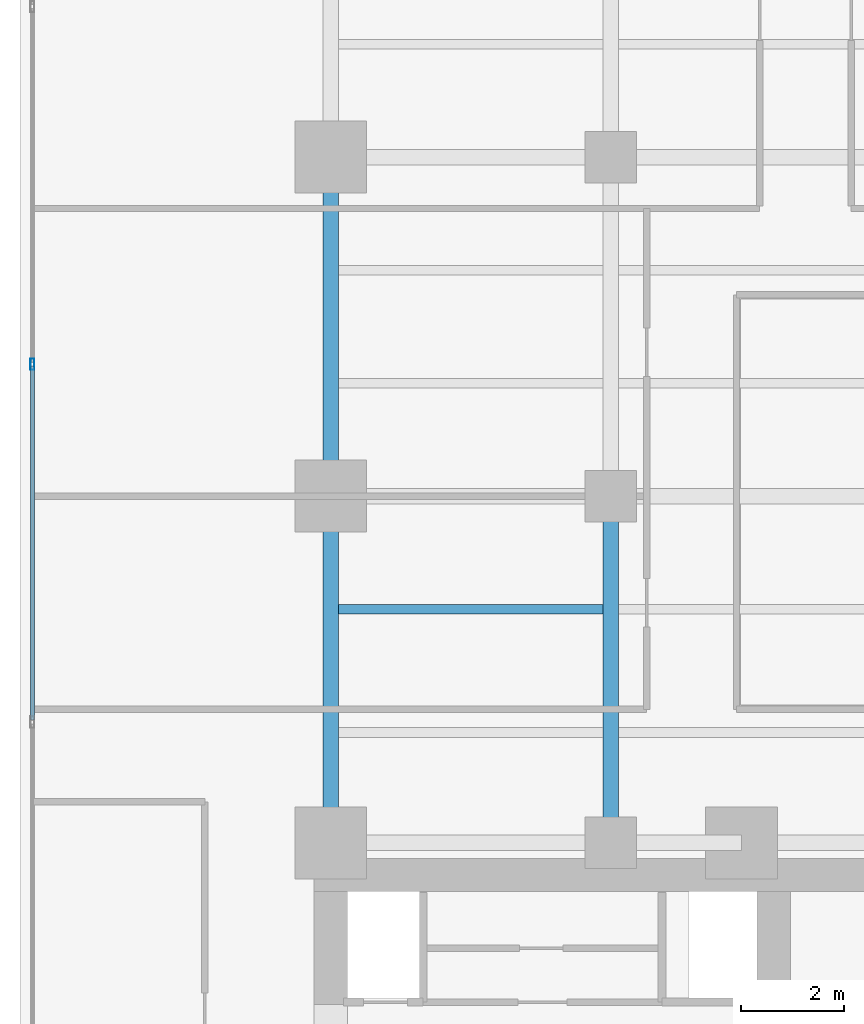
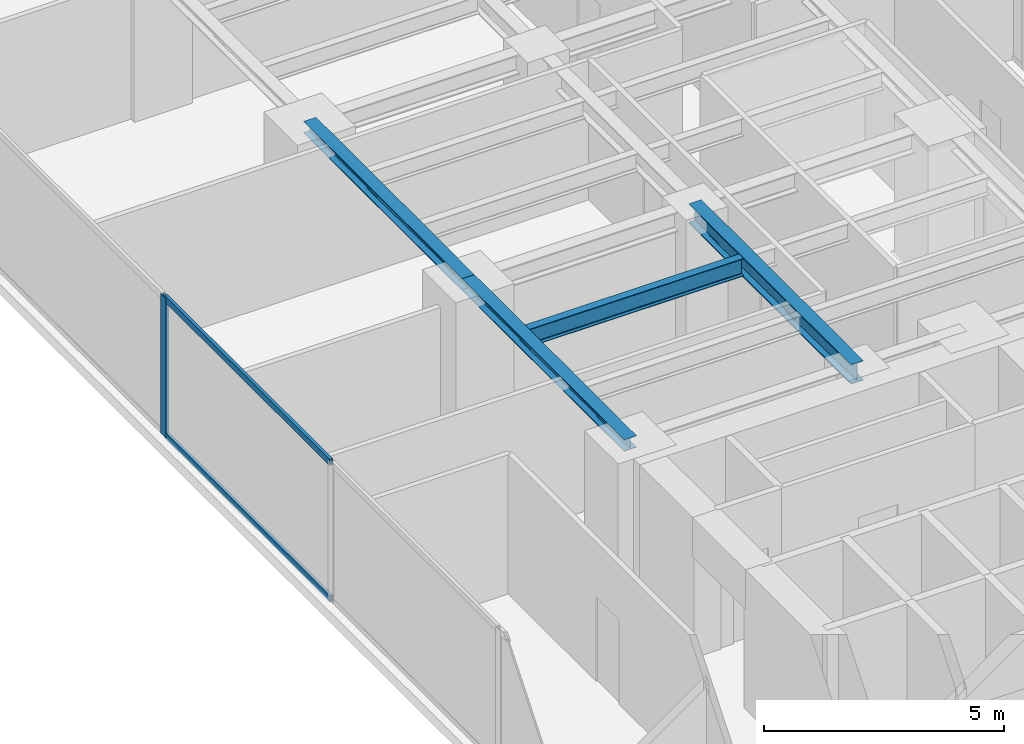
# One storey, part 7 of 27: 4 beams, 3 members, 1 element without a shape of its own.
"""IFC4 building model written with IfcOpenShell, lengths in metres."""

from ifc_helpers import new_model, si_unit, direction, frame, origin, origin_with_axes, origin_2d, place, context, subcontext, project, spatial, hollow_rectangle, i_section, extrude, source, transform, mapped, material, layer, layer_set, material_profile, profile_set, type_object, element, aggregate, save


model = new_model("IFC4")

# Units and contexts
model_context = context("Model", 3, precision=1e-05, world=origin(), true_north=direction((0.0, 1.0)))
body_context = subcontext(model_context, "Body", "Model", "MODEL_VIEW")
ifc_project = project(units=[si_unit("LENGTHUNIT", "METRE"), si_unit("AREAUNIT", "SQUARE_METRE"), si_unit("VOLUMEUNIT", "CUBIC_METRE"), si_unit("PLANEANGLEUNIT", "RADIAN"), si_unit("MASSUNIT", "GRAM", prefix="KILO")], contexts=[model_context])

# Site, building, storey
site_placement = place(None, origin())
site = spatial("IfcSite", under=ifc_project, at=site_placement, CompositionType="ELEMENT")
building_placement = place(site_placement, origin())
building = spatial("IfcBuilding", under=site, at=building_placement, Name="Kolvaren Waterfront Exchange", CompositionType="ELEMENT")
storey_placement = place(building_placement, frame((0.0, 0.0, 118.300048828125)))
storey = spatial("IfcBuildingStorey", under=building, at=storey_placement, Name="L30", CompositionType="ELEMENT", Elevation=118.300048828125)

# Beams
ifc_material_1 = material(Name="Steel S355", Category="steel")
ifc_material_profile_1 = material_profile(ifc_material_1, i_section(OverallWidth=0.300048828125, OverallDepth=0.300048828125, WebThickness=0.010986328125, FlangeThickness=0.01904296875, FilletRadius=0.027099609375, at=origin_2d()), Name="HEB300")
ifc_profile_set_1 = profile_set([ifc_material_profile_1], Name="Steel S355")
beam_type_1 = type_object("IfcBeamType", Name="STR-BM-HEB300", PredefinedType="SPANDREL", material=ifc_profile_set_1)
beam_1_placement = place(storey_placement, frame((7.449951171875, 24.449951171875, 3.389892578125), z_axis=(0.0, 1.0, 0.0), x_axis=(-1.0, 0.0, 0.0)))
element("IfcBeam", 1, at=beam_1_placement, inside=storey, type_object=beam_type_1, Name="L30 north-arm edge beam 1", PredefinedType="SPANDREL", context=body_context, shape_type="SweptSolid", body=[
    extrude(i_section(OverallWidth=0.300048828125, OverallDepth=0.300048828125, WebThickness=0.010986328125, FlangeThickness=0.01904296875, FilletRadius=0.027099609375, at=origin_2d()), origin(), (0.0, 0.0, 1.0), 6.75),
])
beam_2_placement = place(storey_placement, frame((7.449951171875, 31.199951171875, 3.389892578125), z_axis=(0.0, 1.0, 0.0), x_axis=(-1.0, 0.0, 0.0)))
element("IfcBeam", 2, at=beam_2_placement, inside=storey, type_object=beam_type_1, Name="L30 north-arm edge beam 2", PredefinedType="SPANDREL", context=body_context, shape_type="SweptSolid", body=[
    extrude(i_section(OverallWidth=0.300048828125, OverallDepth=0.300048828125, WebThickness=0.010986328125, FlangeThickness=0.01904296875, FilletRadius=0.027099609375, at=origin_2d()), origin(), (0.0, 0.0, 1.0), 6.60009765625),
])
ifc_material_profile_2 = material_profile(ifc_material_1, i_section(OverallWidth=0.300048828125, OverallDepth=0.5, WebThickness=0.014404296875, FlangeThickness=0.028076171875, FilletRadius=0.027099609375, at=origin_2d()), Name="HEB500")
ifc_profile_set_2 = profile_set([ifc_material_profile_2], Name="Steel S355")
beam_type_2 = type_object("IfcBeamType", Name="STR-BM-HEB500", PredefinedType="BEAM", material=ifc_profile_set_2)
beam_3_placement = place(storey_placement, frame((12.89990234375, 24.449951171875, 3.2900390625), z_axis=(0.0, 1.0, 0.0), x_axis=(-1.0, 0.0, 0.0)))
element("IfcBeam", 3, at=beam_3_placement, inside=storey, type_object=beam_type_2, Name="L30 north-arm edge beam 1", PredefinedType="BEAM", context=body_context, shape_type="SweptSolid", body=[
    extrude(i_section(OverallWidth=0.300048828125, OverallDepth=0.5, WebThickness=0.014404296875, FlangeThickness=0.028076171875, FilletRadius=0.027099609375, at=origin_2d()), origin(), (0.0, 0.0, 1.0), 6.75),
])
ifc_material_profile_3 = material_profile(ifc_material_1, i_section(OverallWidth=0.18994140625, OverallDepth=0.449951171875, WebThickness=0.009521484375, FlangeThickness=0.0146484375, FilletRadius=0.02099609375, at=origin_2d()), Name="IPE450")
ifc_profile_set_3 = profile_set([ifc_material_profile_3], Name="Steel S355")
beam_type_3 = type_object("IfcBeamType", Name="STR-BM-IPE450", PredefinedType="JOIST", material=ifc_profile_set_3)
beam_4_placement = place(storey_placement, frame((7.60205078125, 29.0, 3.31494140625), z_axis=(1.0, 0.0, 0.0), x_axis=(0.0, 1.0, 0.0)))
element("IfcBeam", 4, at=beam_4_placement, inside=storey, type_object=beam_type_3, Name="L30 north-arm composite joist 2A", PredefinedType="JOIST", context=body_context, shape_type="SweptSolid", body=[
    extrude(i_section(OverallWidth=0.18994140625, OverallDepth=0.449951171875, WebThickness=0.009521484375, FlangeThickness=0.0146484375, FilletRadius=0.02099609375, at=origin_2d()), origin(), (0.0, 0.0, 1.0), 5.14599609375),
])

# Curtain wall, members
ifc_material_2 = material(Name="Anodised aluminium 6063-T6", Category="aluminium")
ifc_layer = layer(ifc_material_2, 0.219970703125, Name="Anodised aluminium 6063-T6")
ifc_layer_set = layer_set([ifc_layer], Name="Anodised aluminium 6063-T6")
curtain_wall_type = type_object("IfcCurtainWallType", Name="ARC-CW-SYS2", PredefinedType="USERDEFINED", material=ifc_layer_set)
curtain_wall_placement = place(storey_placement, origin())
curtain_wall = element("IfcCurtainWall", 5, at=curtain_wall_placement, inside=storey, type_object=curtain_wall_type, Name="L30 stick curtain wall CW2 (CW-L30-W)", ObjectType="STICK CURTAIN WALL", PredefinedType="USERDEFINED")
ifc_material_profile_4 = material_profile(ifc_material_2, hollow_rectangle(XDim=0.080078125, YDim=0.219970703125, WallThickness=0.0048828125, at=origin_2d()), Name="ALU-MUL-220x80x5")
ifc_profile_set_4 = profile_set([ifc_material_profile_4], Name="Anodised aluminium 6063-T6")
member_type_1 = type_object("IfcMemberType", Name="ARC-CWM-220", PredefinedType="MULLION", material=ifc_profile_set_4)
shared_shape_1 = source(origin_with_axes(), body_context, "Body", "SweptSolid", [
    extrude(hollow_rectangle(XDim=0.080078125, YDim=0.219970703125, WallThickness=0.0048828125, at=origin_2d()), origin(), (0.0, 0.0, 1.0), 3.5400390625),
])
member_1_placement = place(storey_placement, frame((1.639892578125, 33.7666015625, 0.0), z_axis=(0.0, 0.0, 1.0), x_axis=(-1.0, 0.0, 0.0)))
member_1 = element("IfcMember", 6, at=member_1_placement, type_object=member_type_1, Name="CW2 mullion 5", PredefinedType="MULLION", context=body_context, shape_type="MappedRepresentation", body=[
    mapped(shared_shape_1, transform((0.0, 0.0, 0.0), x_axis=(1.0, 0.0, 0.0), y_axis=(0.0, 1.0, 0.0), z_axis=(0.0, 0.0, 1.0), scale=1.0)),
])
ifc_material_profile_5 = material_profile(ifc_material_2, hollow_rectangle(XDim=0.074951171875, YDim=0.159912109375, WallThickness=0.00439453125, at=origin_2d()), Name="ALU-TRN-160x75x4.5")
ifc_profile_set_5 = profile_set([ifc_material_profile_5], Name="Anodised aluminium 6063-T6")
member_type_2 = type_object("IfcMemberType", Name="ARC-CWT-160", PredefinedType="USERDEFINED", material=ifc_profile_set_5)
shared_shape_2 = source(origin_with_axes(), body_context, "Body", "SweptSolid", [
    extrude(hollow_rectangle(XDim=0.074951171875, YDim=0.159912109375, WallThickness=0.00439453125, at=origin_2d()), origin(), (0.0, 0.0, 1.0), 6.886474609375),
])
member_2_placement = place(storey_placement, frame((1.639892578125, 26.840087890625, 0.037353515625), z_axis=(0.0, 1.0, 0.0), x_axis=(-1.0, 0.0, 0.0)))
member_2 = element("IfcMember", 7, at=member_2_placement, type_object=member_type_2, Name="CW2 transom 4.1", ObjectType="TRANSOM", PredefinedType="USERDEFINED", context=body_context, shape_type="MappedRepresentation", body=[
    mapped(shared_shape_2, transform((0.0, 0.0, 0.0), x_axis=(1.0, 0.0, 0.0), y_axis=(0.0, 1.0, 0.0), z_axis=(0.0, 0.0, 1.0), scale=1.0)),
])
member_3_placement = place(storey_placement, frame((1.639892578125, 26.840087890625, 3.50244140625), z_axis=(0.0, 1.0, 0.0), x_axis=(-1.0, 0.0, 0.0)))
member_3 = element("IfcMember", 8, at=member_3_placement, type_object=member_type_2, Name="CW2 transom 4.2", ObjectType="TRANSOM", PredefinedType="USERDEFINED", context=body_context, shape_type="MappedRepresentation", body=[
    mapped(shared_shape_2, transform((0.0, 0.0, 0.0), x_axis=(1.0, 0.0, 0.0), y_axis=(0.0, 1.0, 0.0), z_axis=(0.0, 0.0, 1.0), scale=1.0)),
])
aggregate(curtain_wall, [member_1, member_2, member_3])

save(model, "model.ifc")
